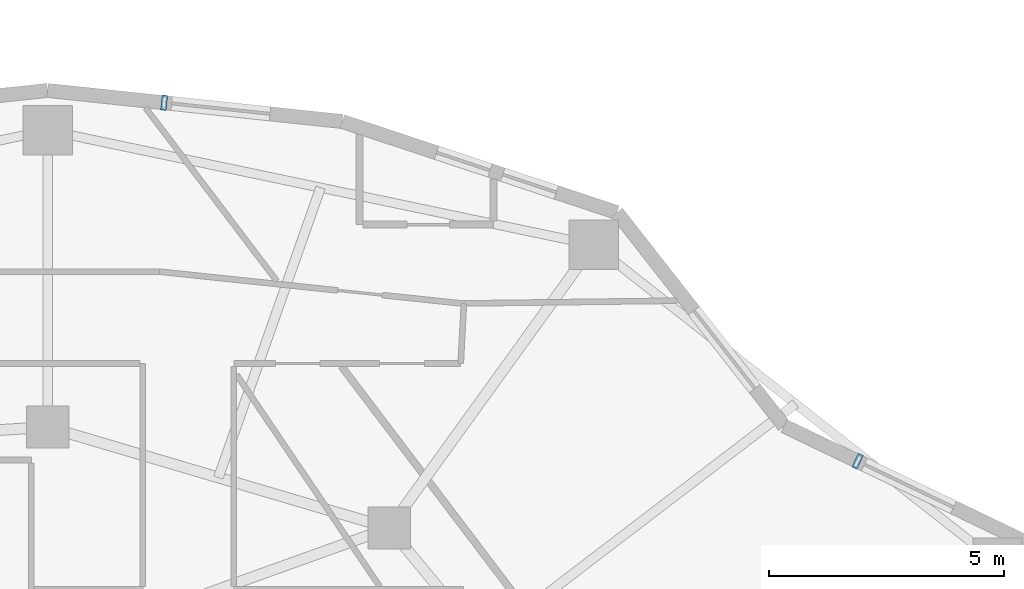
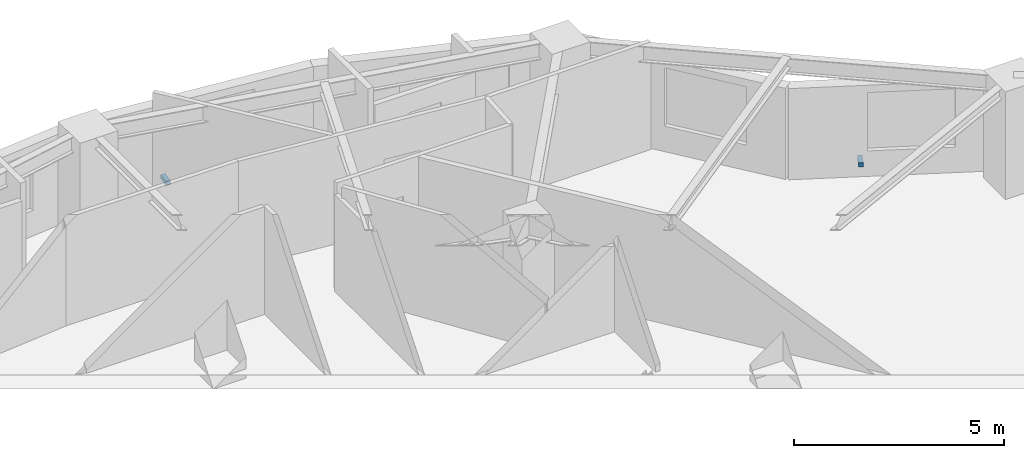
# One storey, part 11 of 17: 2 discrete accessories.
"""IFC4 building model written with IfcOpenShell, lengths in metres."""

from ifc_helpers import new_model, si_unit, direction, frame, origin, origin_2d, place, context, subcontext, project, spatial, rectangle, extrude, material, type_object, element, save


model = new_model("IFC4")

# Units and contexts
model_context = context("Model", 3, precision=1e-05, world=origin(), true_north=direction((0.0, 1.0)))
body_context = subcontext(model_context, "Body", "Model", "MODEL_VIEW")
ifc_project = project(units=[si_unit("LENGTHUNIT", "METRE"), si_unit("AREAUNIT", "SQUARE_METRE"), si_unit("VOLUMEUNIT", "CUBIC_METRE"), si_unit("PLANEANGLEUNIT", "RADIAN"), si_unit("MASSUNIT", "GRAM", prefix="KILO")], contexts=[model_context])

# Site, building, storey
site_placement = place(None, origin())
site = spatial("IfcSite", under=ifc_project, at=site_placement, CompositionType="ELEMENT")
building_placement = place(site_placement, origin())
building = spatial("IfcBuilding", under=site, at=building_placement, Name="Kolvaren Gate Tower and Convention Centre", CompositionType="ELEMENT")
storey_placement = place(building_placement, frame((0.0, 0.0, 125.699951171875)))
storey = spatial("IfcBuildingStorey", under=building, at=storey_placement, Name="L31", CompositionType="ELEMENT", Elevation=125.699951171875)

# Discrete accessories
ifc_material = material(Name="Anodized Architectural Aluminium Alloy 6063-T6", Category="aluminium")
discrete_accessory_type = type_object("IfcDiscreteAccessoryType", Name="ARCH-ACC-BRACKET-120", PredefinedType="BRACKET", material=ifc_material)
for number, where, z_axis, x_axis, name in (
    (1, (47.329833984375, 38.472900390625, 0.2900390625), (0.0, 0.0, 1.0), (0.901362925045, -0.433064518696, 0.0), "Ceramic Fin Wall Anchor Bracket FBK-L31-02"),
    (2, (32.601318359375, 46.089111328125, 0.2900390625), (0.0, 0.0, 1.0), (0.994499981166, -0.104736753152, 0.0), "Ceramic Fin Wall Anchor Bracket FBK-L31-05"),
):
    element("IfcDiscreteAccessory", number, at=place(storey_placement, frame(where, z_axis=z_axis, x_axis=x_axis)), inside=storey, type_object=discrete_accessory_type, Name=name, PredefinedType="BRACKET", context=body_context, shape_type="SweptSolid", body=[
        extrude(rectangle(XDim=0.1201171875, YDim=0.320068359375, at=origin_2d()), origin(), (0.0, 0.0, 1.0), 0.1201171875),
    ])

save(model, "model.ifc")
